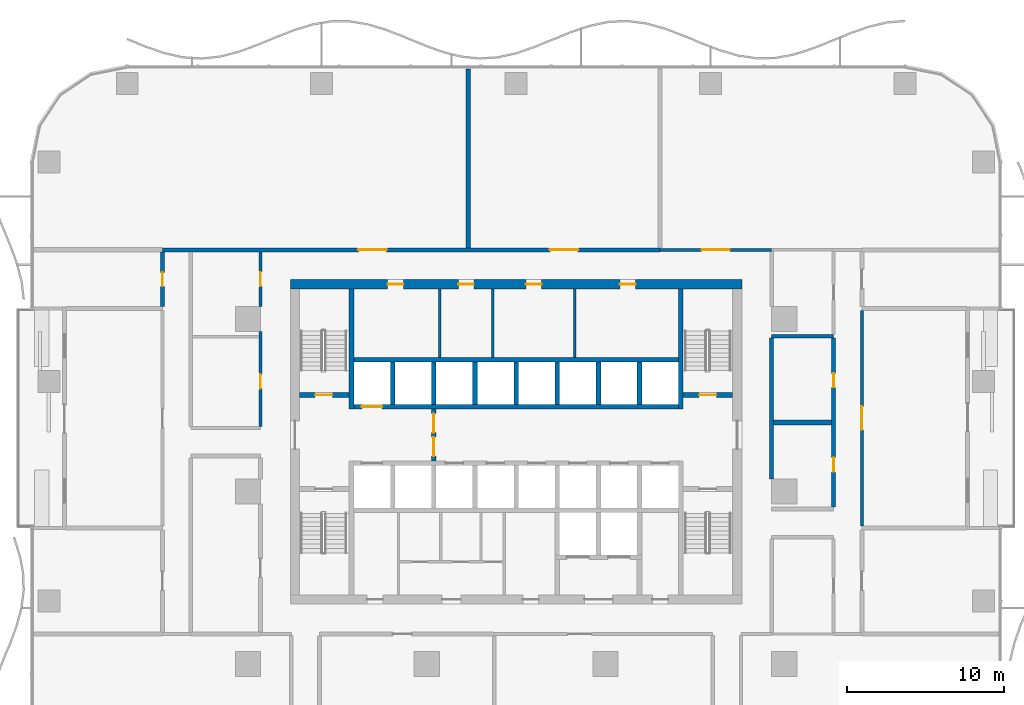
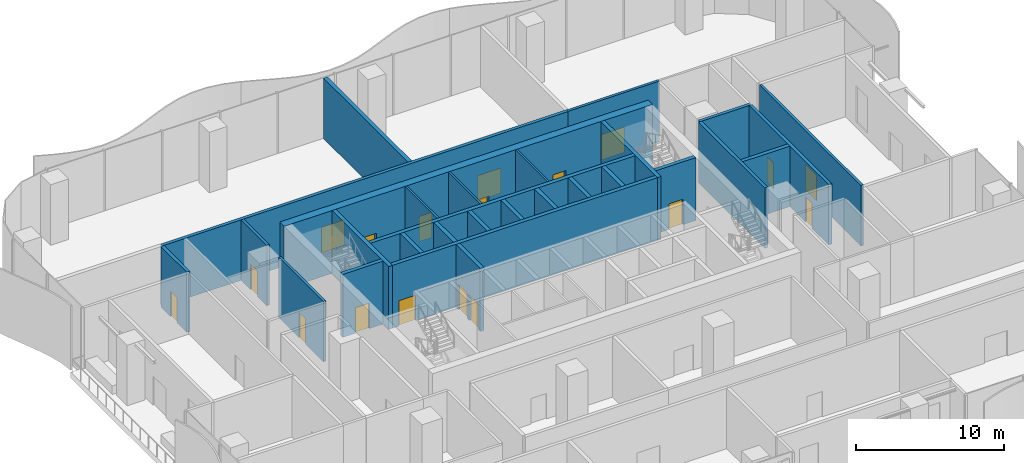
# One storey, part 10 of 20: 29 walls, 18 doors, 18 openings.
"""IFC4 building model written with IfcOpenShell, lengths in metres."""

from ifc_helpers import new_model, si_unit, direction, frame, frame_2d, origin, place, context, subcontext, project, spatial, rectangle, extrude, material, layer, layer_set, type_object, element, fill, save


model = new_model("IFC4")

# Units and contexts
model_context = context("Model", 3, precision=1e-05, world=origin(), true_north=direction((0.0, 1.0)))
body_context = subcontext(model_context, "Body", "Model", "MODEL_VIEW")
ifc_project = project(units=[si_unit("LENGTHUNIT", "METRE"), si_unit("AREAUNIT", "SQUARE_METRE"), si_unit("VOLUMEUNIT", "CUBIC_METRE"), si_unit("PLANEANGLEUNIT", "RADIAN"), si_unit("MASSUNIT", "GRAM", prefix="KILO")], contexts=[model_context])

# Site, building, storey
site_placement = place(None, origin())
site = spatial("IfcSite", under=ifc_project, at=site_placement, CompositionType="ELEMENT")
building_placement = place(site_placement, origin())
building = spatial("IfcBuilding", under=site, at=building_placement, Name="Mopane Tessera Tower", CompositionType="ELEMENT")
storey_placement = place(building_placement, frame((0.0, 0.0, 14.5)))
storey = spatial("IfcBuildingStorey", under=building, at=storey_placement, Name="L02", CompositionType="ELEMENT", Elevation=14.5)

# Walls
ifc_material_1 = material(Name="Fire-rated gypsum board partition")
ifc_layer_1 = layer(ifc_material_1, 0.14990234375)
ifc_layer_set_1 = layer_set([ifc_layer_1], Name="Fire-rated gypsum board partition")
wall_type_1 = type_object("IfcWallType", Name="Core room partition 150 mm", PredefinedType="PARTITIONING", material=ifc_layer_set_1)
for number, where, z_axis, x_axis, name in (
    (1, (-4.875, 8.550048828125, 0.0), (0.0, 0.0, 1.0), (0.0, 1.0, 0.0), "L02 Room partition"),
    (2, (-1.5, 8.550048828125, 0.0), (0.0, 0.0, 1.0), (0.0, 1.0, 0.0), "L02 Room partition"),
    (3, (3.75, 8.550048828125, 0.0), (0.0, 0.0, 1.0), (0.0, 1.0, 0.0), "L02 Room partition"),
):
    element("IfcWall", number, at=place(storey_placement, frame(where, z_axis=z_axis, x_axis=x_axis)), inside=storey, type_object=wall_type_1, Name=name, PredefinedType="PARTITIONING", context=body_context, shape_type="SweptSolid", body=[
        extrude(rectangle(XDim=4.349853515625, YDim=0.14990234375, at=frame_2d((2.1748046875, 0.0))), origin(), (0.0, 0.0, 1.0), 5.199951171875),
    ])

# Wall, openings, doors
ifc_material_2 = material(Name="Concrete C70/85", Category="concrete")
ifc_layer_2 = layer(ifc_material_2, 0.60009765625)
ifc_layer_set_2 = layer_set([ifc_layer_2], Name="Concrete C70/85")
wall_type_2 = type_object("IfcWallType", Name="Core shear wall 600 mm", PredefinedType="SHEAR", material=ifc_layer_set_2)
wall_1_placement = place(storey_placement, frame((-14.39990234375, 13.199951171875, 0.0), z_axis=(0.0, 0.0, 1.0), x_axis=(1.0, 0.0, 0.0)))
wall_1 = element("IfcWall", 4, at=wall_1_placement, inside=storey, type_object=wall_type_2, Name="L02 Core wall north", PredefinedType="SHEAR", context=body_context, shape_type="SweptSolid", body=[
    extrude(rectangle(XDim=28.7998046875, YDim=0.60009765625, at=frame_2d((14.39990234375, 0.0))), origin(), (0.0, 0.0, 1.0), 5.199951171875),
])
opening_1_placement = place(wall_1_placement, frame((6.21240234375, 0.0, 0.0)))
opening_1 = element("IfcOpeningElement", 5, at=opening_1_placement, cuts=wall_1, Name="Opening RD1", PredefinedType="OPENING", context=body_context, shape_type="SweptSolid", body=[
    extrude(rectangle(XDim=1.0, YDim=2.10009765625, at=frame_2d((0.5, 1.050048828125))), frame((0.0, 0.31201171875, 0.0), z_axis=(0.0, -1.0, 0.0), x_axis=(1.0, 0.0, 0.0)), (0.0, 0.0, 1.0), 0.6240234375),
])
opening_2_placement = place(wall_1_placement, frame((10.71240234375, 0.0, 0.0)))
opening_2 = element("IfcOpeningElement", 6, at=opening_2_placement, cuts=wall_1, Name="Opening RD1", PredefinedType="OPENING", context=body_context, shape_type="SweptSolid", body=[
    extrude(rectangle(XDim=1.0, YDim=2.10009765625, at=frame_2d((0.5, 1.050048828125))), frame((0.0, 0.31201171875, 0.0), z_axis=(0.0, -1.0, 0.0), x_axis=(1.0, 0.0, 0.0)), (0.0, 0.0, 1.0), 0.6240234375),
])
opening_3_placement = place(wall_1_placement, frame((15.02490234375, 0.0, 0.0)))
opening_3 = element("IfcOpeningElement", 7, at=opening_3_placement, cuts=wall_1, Name="Opening RD1", PredefinedType="OPENING", context=body_context, shape_type="SweptSolid", body=[
    extrude(rectangle(XDim=1.0, YDim=2.10009765625, at=frame_2d((0.5, 1.050048828125))), frame((0.0, 0.31201171875, 0.0), z_axis=(0.0, -1.0, 0.0), x_axis=(1.0, 0.0, 0.0)), (0.0, 0.0, 1.0), 0.6240234375),
])
opening_4_placement = place(wall_1_placement, frame((21.02490234375, 0.0, 0.0)))
opening_4 = element("IfcOpeningElement", 8, at=opening_4_placement, cuts=wall_1, Name="Opening RD1", PredefinedType="OPENING", context=body_context, shape_type="SweptSolid", body=[
    extrude(rectangle(XDim=1.0, YDim=2.10009765625, at=frame_2d((0.5, 1.050048828125))), frame((0.0, 0.31201171875, 0.0), z_axis=(0.0, -1.0, 0.0), x_axis=(1.0, 0.0, 0.0)), (0.0, 0.0, 1.0), 0.6240234375),
])
ifc_material_3 = material(Name="Timber door", Category="wood")
door_type_1 = type_object("IfcDoorType", Name="Core room door 1000 x 2100", OperationType="SINGLE_SWING_LEFT", PredefinedType="DOOR", material=ifc_material_3)
door_1_placement = place(opening_1_placement, origin())
door_1 = element("IfcDoor", 9, at=door_1_placement, inside=storey, type_object=door_type_1, Name="L02 Room door", OperationType="SINGLE_SWING_LEFT", OverallHeight=2.10009765625, OverallWidth=1.0, PredefinedType="DOOR", context=body_context, shape_type="SweptSolid", body=[
    extrude(rectangle(XDim=1.0, YDim=2.10009765625, at=frame_2d((0.5, 1.050048828125))), frame((0.0, 0.02490234375, 0.0), z_axis=(0.0, -1.0, 0.0), x_axis=(1.0, 0.0, 0.0)), (0.0, 0.0, 1.0), 0.050048828125),
])
fill(opening_1, door_1)
door_2_placement = place(opening_2_placement, origin())
door_2 = element("IfcDoor", 10, at=door_2_placement, inside=storey, type_object=door_type_1, Name="L02 Room door", OperationType="SINGLE_SWING_LEFT", OverallHeight=2.10009765625, OverallWidth=1.0, PredefinedType="DOOR", context=body_context, shape_type="SweptSolid", body=[
    extrude(rectangle(XDim=1.0, YDim=2.10009765625, at=frame_2d((0.5, 1.050048828125))), frame((0.0, 0.02490234375, 0.0), z_axis=(0.0, -1.0, 0.0), x_axis=(1.0, 0.0, 0.0)), (0.0, 0.0, 1.0), 0.050048828125),
])
fill(opening_2, door_2)
door_3_placement = place(opening_3_placement, origin())
door_3 = element("IfcDoor", 11, at=door_3_placement, inside=storey, type_object=door_type_1, Name="L02 Room door", OperationType="SINGLE_SWING_LEFT", OverallHeight=2.10009765625, OverallWidth=1.0, PredefinedType="DOOR", context=body_context, shape_type="SweptSolid", body=[
    extrude(rectangle(XDim=1.0, YDim=2.10009765625, at=frame_2d((0.5, 1.050048828125))), frame((0.0, 0.02490234375, 0.0), z_axis=(0.0, -1.0, 0.0), x_axis=(1.0, 0.0, 0.0)), (0.0, 0.0, 1.0), 0.050048828125),
])
fill(opening_3, door_3)
door_4_placement = place(opening_4_placement, origin())
door_4 = element("IfcDoor", 12, at=door_4_placement, inside=storey, type_object=door_type_1, Name="L02 Room door", OperationType="SINGLE_SWING_LEFT", OverallHeight=2.10009765625, OverallWidth=1.0, PredefinedType="DOOR", context=body_context, shape_type="SweptSolid", body=[
    extrude(rectangle(XDim=1.0, YDim=2.10009765625, at=frame_2d((0.5, 1.050048828125))), frame((0.0, 0.02490234375, 0.0), z_axis=(0.0, -1.0, 0.0), x_axis=(1.0, 0.0, 0.0)), (0.0, 0.0, 1.0), 0.050048828125),
])
fill(opening_4, door_4)

# Walls
ifc_material_4 = material(Name="Concrete C60/75", Category="concrete")
ifc_layer_3 = layer(ifc_material_4, 0.300048828125)
ifc_layer_set_3 = layer_set([ifc_layer_3], Name="Concrete C60/75")
wall_type_3 = type_object("IfcWallType", Name="Core spine wall 300 mm", PredefinedType="SHEAR", material=ifc_layer_set_3)
for number, where, z_axis, x_axis, name in (
    (13, (-10.5, 5.25, 0.0), (0.0, 0.0, 1.0), (0.0, 1.0, 0.0), "L02 Core spine wall"),
    (14, (10.5, 5.25, 0.0), (0.0, 0.0, 1.0), (0.0, 1.0, 0.0), "L02 Core spine wall"),
):
    element("IfcWall", number, at=place(storey_placement, frame(where, z_axis=z_axis, x_axis=x_axis)), inside=storey, type_object=wall_type_3, Name=name, PredefinedType="SHEAR", context=body_context, shape_type="SweptSolid", body=[
        extrude(rectangle(XDim=7.64990234375, YDim=0.300048828125, at=frame_2d((3.824951171875, 0.0))), origin(), (0.0, 0.0, 1.0), 5.199951171875),
    ])

# Wall, opening, door
ifc_material_5 = material(Name="Gypsum board on steel studs, two layers each face, mineral wool infill", Category="steel")
ifc_layer_4 = layer(ifc_material_5, 0.199951171875)
ifc_layer_set_4 = layer_set([ifc_layer_4], Name="Gypsum board on steel studs, two layers each face, mineral wool infill")
wall_type_4 = type_object("IfcWallType", Name="Gypsum board corridor wall 200, rated EI 60", PredefinedType="PARTITIONING", material=ifc_layer_set_4)
wall_2_placement = place(storey_placement, frame((9.1650390625, 15.39990234375, 0.0), z_axis=(0.0, 0.0, 1.0), x_axis=(1.0, 0.0, 0.0)))
wall_2 = element("IfcWall", 15, at=wall_2_placement, inside=storey, type_object=wall_type_4, Name="Partition L02:029", PredefinedType="PARTITIONING", context=body_context, shape_type="SweptSolid", body=[
    extrude(rectangle(XDim=7.135009765625, YDim=0.199951171875, at=frame_2d((3.5673828125, 0.0))), origin(), (0.0, 0.0, 1.0), 5.0),
])
opening_5_placement = place(wall_2_placement, frame((2.66748046875, 0.0, 0.0)))
opening_5 = element("IfcOpeningElement", 16, at=opening_5_placement, cuts=wall_2, Name="Opening L02-21", PredefinedType="OPENING", context=body_context, shape_type="SweptSolid", body=[
    extrude(rectangle(XDim=1.800048828125, YDim=2.10009765625, at=frame_2d((0.89990234375, 1.050048828125))), frame((0.0, 0.112060546875, 0.0), z_axis=(0.0, -1.0, 0.0), x_axis=(1.0, 0.0, 0.0)), (0.0, 0.0, 1.0), 0.223876953125),
])
ifc_material_6 = material(Name="Timber veneered steel-framed fire door", Category="steel")
door_type_2 = type_object("IfcDoorType", Name="Fire door pair FD60 1800 x 2100", OperationType="DOUBLE_DOOR_SINGLE_SWING", PredefinedType="DOOR", material=ifc_material_6)
door_5_placement = place(opening_5_placement, origin())
door_5 = element("IfcDoor", 17, at=door_5_placement, inside=storey, type_object=door_type_2, Name="Door L02-21", ObjectType="D20A", OperationType="DOUBLE_DOOR_SINGLE_SWING", OverallHeight=2.10009765625, OverallWidth=1.800048828125, PredefinedType="DOOR", context=body_context, shape_type="SweptSolid", body=[
    extrude(rectangle(XDim=1.800048828125, YDim=2.10009765625, at=frame_2d((0.89990234375, 1.050048828125))), frame((0.0, 0.02490234375, 0.0), z_axis=(0.0, -1.0, 0.0), x_axis=(1.0, 0.0, 0.0)), (0.0, 0.0, 1.0), 0.050048828125),
])
fill(opening_5, door_5)

wall_3_placement = place(storey_placement, frame((-16.300048828125, 4.14990234375, 0.0), z_axis=(0.0, 0.0, 1.0), x_axis=(0.0, 1.0, 0.0)))
wall_3 = element("IfcWall", 18, at=wall_3_placement, inside=storey, type_object=wall_type_4, Name="Partition L02:039", PredefinedType="PARTITIONING", context=body_context, shape_type="SweptSolid", body=[
    extrude(rectangle(XDim=6.050048828125, YDim=0.199951171875, at=frame_2d((3.02490234375, 0.0))), origin(), (0.0, 0.0, 1.0), 5.0),
])
opening_6_placement = place(wall_3_placement, frame((2.407470703125, 0.0, 0.0)))
opening_6 = element("IfcOpeningElement", 19, at=opening_6_placement, cuts=wall_3, Name="Opening L02-18", PredefinedType="OPENING", context=body_context, shape_type="SweptSolid", body=[
    extrude(rectangle(XDim=0.89990234375, YDim=2.10009765625, at=frame_2d((0.449951171875, 1.050048828125))), frame((0.0, 0.112060546875, 0.0), z_axis=(0.0, -1.0, 0.0), x_axis=(1.0, 0.0, 0.0)), (0.0, 0.0, 1.0), 0.223876953125),
])
ifc_material_7 = material(Name="Timber veneered steel-framed fire door", Category="steel")
door_type_3 = type_object("IfcDoorType", Name="Fire door FD60 900 x 2100", OperationType="SINGLE_SWING_LEFT", PredefinedType="DOOR", material=ifc_material_7)
door_6_placement = place(opening_6_placement, origin())
door_6 = element("IfcDoor", 20, at=door_6_placement, inside=storey, type_object=door_type_3, Name="Door L02-18", ObjectType="D10A", OperationType="SINGLE_SWING_LEFT", OverallHeight=2.10009765625, OverallWidth=0.89990234375, PredefinedType="DOOR", context=body_context, shape_type="SweptSolid", body=[
    extrude(rectangle(XDim=0.89990234375, YDim=2.10009765625, at=frame_2d((0.449951171875, 1.050048828125))), frame((0.0, 0.02490234375, 0.0), z_axis=(0.0, -1.0, 0.0), x_axis=(1.0, 0.0, 0.0)), (0.0, 0.0, 1.0), 0.050048828125),
])
fill(opening_6, door_6)

wall_4_placement = place(storey_placement, frame((-16.300048828125, 11.800048828125, 0.0), z_axis=(0.0, 0.0, 1.0), x_axis=(0.0, 1.0, 0.0)))
wall_4 = element("IfcWall", 21, at=wall_4_placement, inside=storey, type_object=wall_type_4, Name="Partition L02:040", PredefinedType="PARTITIONING", context=body_context, shape_type="SweptSolid", body=[
    extrude(rectangle(XDim=3.474853515625, YDim=0.199951171875, at=frame_2d((1.7373046875, 0.0))), origin(), (0.0, 0.0, 1.0), 5.0),
])
opening_7_placement = place(wall_4_placement, frame((1.28759765625, 0.0, 0.0)))
opening_7 = element("IfcOpeningElement", 22, at=opening_7_placement, cuts=wall_4, Name="Opening L02-16", PredefinedType="OPENING", context=body_context, shape_type="SweptSolid", body=[
    extrude(rectangle(XDim=0.89990234375, YDim=2.10009765625, at=frame_2d((0.449951171875, 1.050048828125))), frame((0.0, 0.112060546875, 0.0), z_axis=(0.0, -1.0, 0.0), x_axis=(1.0, 0.0, 0.0)), (0.0, 0.0, 1.0), 0.223876953125),
])
door_7_placement = place(opening_7_placement, origin())
door_7 = element("IfcDoor", 23, at=door_7_placement, inside=storey, type_object=door_type_3, Name="Door L02-16", ObjectType="D10A", OperationType="SINGLE_SWING_LEFT", OverallHeight=2.10009765625, OverallWidth=0.89990234375, PredefinedType="DOOR", context=body_context, shape_type="SweptSolid", body=[
    extrude(rectangle(XDim=0.89990234375, YDim=2.10009765625, at=frame_2d((0.449951171875, 1.050048828125))), frame((0.0, 0.02490234375, 0.0), z_axis=(0.0, -1.0, 0.0), x_axis=(1.0, 0.0, 0.0)), (0.0, 0.0, 1.0), 0.050048828125),
])
fill(opening_7, door_7)

wall_5_placement = place(storey_placement, frame((22.050048828125, -2.2099609375, 0.0), z_axis=(0.0, 0.0, 1.0), x_axis=(0.0, 1.0, 0.0)))
wall_5 = element("IfcWall", 24, at=wall_5_placement, inside=storey, type_object=wall_type_4, Name="Partition L02:059", PredefinedType="PARTITIONING", context=body_context, shape_type="SweptSolid", body=[
    extrude(rectangle(XDim=13.75, YDim=0.199951171875, at=frame_2d((6.875, 0.0))), origin(), (0.0, 0.0, 1.0), 5.0),
])
opening_8_placement = place(wall_5_placement, frame((6.125, 0.0, 0.0)))
opening_8 = element("IfcOpeningElement", 25, at=opening_8_placement, cuts=wall_5, Name="Opening L02-24", PredefinedType="OPENING", context=body_context, shape_type="SweptSolid", body=[
    extrude(rectangle(XDim=1.5, YDim=2.10009765625, at=frame_2d((0.75, 1.050048828125))), frame((0.0, 0.112060546875, 0.0), z_axis=(0.0, -1.0, 0.0), x_axis=(1.0, 0.0, 0.0)), (0.0, 0.0, 1.0), 0.223876953125),
])
ifc_material_8 = material(Name="Timber veneered steel-framed fire door", Category="steel")
door_type_4 = type_object("IfcDoorType", Name="Fire door pair FD60 1500 x 2100", OperationType="DOUBLE_DOOR_SINGLE_SWING", PredefinedType="DOOR", material=ifc_material_8)
door_8_placement = place(opening_8_placement, origin())
door_8 = element("IfcDoor", 26, at=door_8_placement, inside=storey, type_object=door_type_4, Name="Door L02-24", ObjectType="D17A", OperationType="DOUBLE_DOOR_SINGLE_SWING", OverallHeight=2.10009765625, OverallWidth=1.5, PredefinedType="DOOR", context=body_context, shape_type="SweptSolid", body=[
    extrude(rectangle(XDim=1.5, YDim=2.10009765625, at=frame_2d((0.75, 1.050048828125))), frame((0.0, 0.02490234375, 0.0), z_axis=(0.0, -1.0, 0.0), x_axis=(1.0, 0.0, 0.0)), (0.0, 0.0, 1.0), 0.050048828125),
])
fill(opening_8, door_8)

ifc_material_9 = material(Name="Concrete C50/60", Category="concrete")
ifc_layer_5 = layer(ifc_material_9, 0.300048828125)
ifc_layer_set_5 = layer_set([ifc_layer_5], Name="Concrete C50/60")
wall_type_5 = type_object("IfcWallType", Name="Lift and stair shaft wall 300 mm", PredefinedType="SOLIDWALL", material=ifc_layer_set_5)
wall_6_placement = place(storey_placement, frame((-13.800048828125, 6.14990234375, 0.0), z_axis=(0.0, 0.0, 1.0), x_axis=(1.0, 0.0, 0.0)))
wall_6 = element("IfcWall", 27, at=wall_6_placement, inside=storey, type_object=wall_type_5, Name="L02 Stair enclosure wall", PredefinedType="SOLIDWALL", context=body_context, shape_type="SweptSolid", body=[
    extrude(rectangle(XDim=3.150146484375, YDim=0.300048828125, at=frame_2d((1.5751953125, 0.0))), origin(), (0.0, 0.0, 1.0), 5.199951171875),
])
opening_9_placement = place(wall_6_placement, frame((0.97509765625, 0.0, 0.0)))
opening_9 = element("IfcOpeningElement", 28, at=opening_9_placement, cuts=wall_6, Name="Opening SD1", PredefinedType="OPENING", context=body_context, shape_type="SweptSolid", body=[
    extrude(rectangle(XDim=1.10009765625, YDim=2.10009765625, at=frame_2d((0.550048828125, 1.050048828125))), frame((0.0, 0.162109375, 0.0), z_axis=(0.0, -1.0, 0.0), x_axis=(1.0, 0.0, 0.0)), (0.0, 0.0, 1.0), 0.323974609375),
])
ifc_material_10 = material(Name="Steel fire door", Category="steel")
door_type_5 = type_object("IfcDoorType", Name="Stair fire door 1100 x 2100", OperationType="SINGLE_SWING_LEFT", PredefinedType="DOOR", material=ifc_material_10)
door_9_placement = place(opening_9_placement, origin())
door_9 = element("IfcDoor", 29, at=door_9_placement, inside=storey, type_object=door_type_5, Name="L02 Stair door ST2", OperationType="SINGLE_SWING_LEFT", OverallHeight=2.10009765625, OverallWidth=1.10009765625, PredefinedType="DOOR", context=body_context, shape_type="SweptSolid", body=[
    extrude(rectangle(XDim=1.10009765625, YDim=2.10009765625, at=frame_2d((0.550048828125, 1.050048828125))), frame((0.0, 0.02490234375, 0.0), z_axis=(0.0, -1.0, 0.0), x_axis=(1.0, 0.0, 0.0)), (0.0, 0.0, 1.0), 0.050048828125),
])
fill(opening_9, door_9)

wall_7_placement = place(storey_placement, frame((10.64990234375, 6.14990234375, 0.0), z_axis=(0.0, 0.0, 1.0), x_axis=(1.0, 0.0, 0.0)))
wall_7 = element("IfcWall", 30, at=wall_7_placement, inside=storey, type_object=wall_type_5, Name="L02 Stair enclosure wall", PredefinedType="SOLIDWALL", context=body_context, shape_type="SweptSolid", body=[
    extrude(rectangle(XDim=3.150146484375, YDim=0.300048828125, at=frame_2d((1.5751953125, 0.0))), origin(), (0.0, 0.0, 1.0), 5.199951171875),
])
opening_10_placement = place(wall_7_placement, frame((1.02490234375, 0.0, 0.0)))
opening_10 = element("IfcOpeningElement", 31, at=opening_10_placement, cuts=wall_7, Name="Opening SD1", PredefinedType="OPENING", context=body_context, shape_type="SweptSolid", body=[
    extrude(rectangle(XDim=1.10009765625, YDim=2.10009765625, at=frame_2d((0.550048828125, 1.050048828125))), frame((0.0, 0.162109375, 0.0), z_axis=(0.0, -1.0, 0.0), x_axis=(1.0, 0.0, 0.0)), (0.0, 0.0, 1.0), 0.323974609375),
])
door_10_placement = place(opening_10_placement, origin())
door_10 = element("IfcDoor", 32, at=door_10_placement, inside=storey, type_object=door_type_5, Name="L02 Stair door ST4", OperationType="SINGLE_SWING_RIGHT", OverallHeight=2.10009765625, OverallWidth=1.10009765625, PredefinedType="DOOR", context=body_context, shape_type="SweptSolid", body=[
    extrude(rectangle(XDim=1.10009765625, YDim=2.10009765625, at=frame_2d((0.550048828125, 1.050048828125))), frame((0.0, 0.02490234375, 0.0), z_axis=(0.0, -1.0, 0.0), x_axis=(1.0, 0.0, 0.0)), (0.0, 0.0, 1.0), 0.050048828125),
])
fill(opening_10, door_10)

wall_8_placement = place(storey_placement, frame((-10.35009765625, 5.39990234375, 0.0), z_axis=(0.0, 0.0, 1.0), x_axis=(1.0, 0.0, 0.0)))
wall_8 = element("IfcWall", 33, at=wall_8_placement, inside=storey, type_object=wall_type_5, Name="L02 Lift shaft front wall", PredefinedType="SOLIDWALL", context=body_context, shape_type="SweptSolid", body=[
    extrude(rectangle(XDim=20.7001953125, YDim=0.300048828125, at=frame_2d((10.35009765625, 0.0))), origin(), (0.0, 0.0, 1.0), 5.199951171875),
])
opening_11_placement = place(wall_8_placement, frame((0.512451171875, 0.0, 0.0)))
opening_11 = element("IfcOpeningElement", 34, at=opening_11_placement, cuts=wall_8, Name="Opening LD2", PredefinedType="OPENING", context=body_context, shape_type="SweptSolid", body=[
    extrude(rectangle(XDim=1.300048828125, YDim=2.10009765625, at=frame_2d((0.64990234375, 1.050048828125))), frame((0.0, 0.162109375, 0.0), z_axis=(0.0, -1.0, 0.0), x_axis=(1.0, 0.0, 0.0)), (0.0, 0.0, 1.0), 0.323974609375),
])
ifc_material_11 = material(Name="Stainless steel sliding door", Category="steel")
door_type_6 = type_object("IfcDoorType", Name="Fire-fighting lift landing door 1300 x 2100", OperationType="DOUBLE_DOOR_SLIDING", PredefinedType="DOOR", material=ifc_material_11)
door_11_placement = place(opening_11_placement, origin())
door_11 = element("IfcDoor", 35, at=door_11_placement, inside=storey, type_object=door_type_6, Name="L02 Lift landing door FF2", OperationType="DOUBLE_DOOR_SLIDING", OverallHeight=2.10009765625, OverallWidth=1.300048828125, PredefinedType="DOOR", context=body_context, shape_type="SweptSolid", body=[
    extrude(rectangle(XDim=1.300048828125, YDim=2.10009765625, at=frame_2d((0.64990234375, 1.050048828125))), frame((0.0, 0.02490234375, 0.0), z_axis=(0.0, -1.0, 0.0), x_axis=(1.0, 0.0, 0.0)), (0.0, 0.0, 1.0), 0.050048828125),
])
fill(opening_11, door_11)

# Walls
wall_9_placement = place(storey_placement, frame((-10.35009765625, 8.39990234375, 0.0), z_axis=(0.0, 0.0, 1.0), x_axis=(1.0, 0.0, 0.0)))
element("IfcWall", 36, at=wall_9_placement, inside=storey, type_object=wall_type_5, Name="L02 Lift shaft rear wall", PredefinedType="SOLIDWALL", context=body_context, shape_type="SweptSolid", body=[
    extrude(rectangle(XDim=20.7001953125, YDim=0.300048828125, at=frame_2d((10.35009765625, 0.0))), origin(), (0.0, 0.0, 1.0), 5.199951171875),
])
for number, where, z_axis, x_axis, name in (
    (37, (-7.875, 5.550048828125, 0.0), (0.0, 0.0, 1.0), (0.0, 1.0, 0.0), "L02 Lift shaft wall"),
    (38, (-5.25, 5.550048828125, 0.0), (0.0, 0.0, 1.0), (0.0, 1.0, 0.0), "L02 Lift shaft wall"),
    (39, (-2.625, 5.550048828125, 0.0), (0.0, 0.0, 1.0), (0.0, 1.0, 0.0), "L02 Lift shaft wall"),
    (40, (0.0, 5.550048828125, 0.0), (0.0, 0.0, 1.0), (0.0, 1.0, 0.0), "L02 Lift shaft wall"),
    (41, (2.625, 5.550048828125, 0.0), (0.0, 0.0, 1.0), (0.0, 1.0, 0.0), "L02 Lift shaft wall"),
    (42, (5.25, 5.550048828125, 0.0), (0.0, 0.0, 1.0), (0.0, 1.0, 0.0), "L02 Lift shaft wall"),
    (43, (7.875, 5.550048828125, 0.0), (0.0, 0.0, 1.0), (0.0, 1.0, 0.0), "L02 Lift shaft wall"),
):
    element("IfcWall", number, at=place(storey_placement, frame(where, z_axis=z_axis, x_axis=x_axis)), inside=storey, type_object=wall_type_5, Name=name, PredefinedType="SOLIDWALL", context=body_context, shape_type="SweptSolid", body=[
        extrude(rectangle(XDim=2.699951171875, YDim=0.300048828125, at=frame_2d((1.35009765625, 0.0))), origin(), (0.0, 0.0, 1.0), 5.199951171875),
    ])

# Wall, openings, doors
ifc_material_12 = material(Name="Concrete C50/60", Category="concrete")
ifc_layer_6 = layer(ifc_material_12, 0.300048828125)
ifc_layer_set_6 = layer_set([ifc_layer_6], Name="Concrete C50/60")
wall_type_6 = type_object("IfcWallType", Name="Lobby and refuge room wall 300 mm", PredefinedType="SOLIDWALL", material=ifc_layer_set_6)
wall_10_placement = place(storey_placement, frame((-5.25, 1.949951171875, 0.0), z_axis=(0.0, 0.0, 1.0), x_axis=(0.0, 1.0, 0.0)))
wall_10 = element("IfcWall", 44, at=wall_10_placement, inside=storey, type_object=wall_type_6, Name="L02 Fire-fighting lobby wall", PredefinedType="SOLIDWALL", context=body_context, shape_type="SweptSolid", body=[
    extrude(rectangle(XDim=3.300048828125, YDim=0.300048828125, at=frame_2d((1.64990234375, 0.0))), origin(), (0.0, 0.0, 1.0), 5.199951171875),
])
opening_12_placement = place(wall_10_placement, frame((0.300048828125, 0.0, 0.0)))
opening_12 = element("IfcOpeningElement", 45, at=opening_12_placement, cuts=wall_10, Name="Opening SD3", PredefinedType="OPENING", context=body_context, shape_type="SweptSolid", body=[
    extrude(rectangle(XDim=1.199951171875, YDim=2.10009765625, at=frame_2d((0.60009765625, 1.050048828125))), frame((0.0, 0.162109375, 0.0), z_axis=(0.0, -1.0, 0.0), x_axis=(1.0, 0.0, 0.0)), (0.0, 0.0, 1.0), 0.323974609375),
])
opening_13_placement = place(wall_10_placement, frame((1.800048828125, 0.0, 0.0)))
opening_13 = element("IfcOpeningElement", 46, at=opening_13_placement, cuts=wall_10, Name="Opening SD3", PredefinedType="OPENING", context=body_context, shape_type="SweptSolid", body=[
    extrude(rectangle(XDim=1.199951171875, YDim=2.10009765625, at=frame_2d((0.60009765625, 1.050048828125))), frame((0.0, 0.162109375, 0.0), z_axis=(0.0, -1.0, 0.0), x_axis=(1.0, 0.0, 0.0)), (0.0, 0.0, 1.0), 0.323974609375),
])
ifc_material_13 = material(Name="Steel fire door", Category="steel")
door_type_7 = type_object("IfcDoorType", Name="Lobby fire door 1200 x 2100", OperationType="SINGLE_SWING_LEFT", PredefinedType="DOOR", material=ifc_material_13)
door_12_placement = place(opening_12_placement, origin())
door_12 = element("IfcDoor", 47, at=door_12_placement, inside=storey, type_object=door_type_7, Name="L02 Fire-fighting lobby door", OperationType="SINGLE_SWING_LEFT", OverallHeight=2.10009765625, OverallWidth=1.199951171875, PredefinedType="DOOR", context=body_context, shape_type="SweptSolid", body=[
    extrude(rectangle(XDim=1.199951171875, YDim=2.10009765625, at=frame_2d((0.60009765625, 1.050048828125))), frame((0.0, 0.02490234375, 0.0), z_axis=(0.0, -1.0, 0.0), x_axis=(1.0, 0.0, 0.0)), (0.0, 0.0, 1.0), 0.050048828125),
])
fill(opening_12, door_12)
door_13_placement = place(opening_13_placement, origin())
door_13 = element("IfcDoor", 48, at=door_13_placement, inside=storey, type_object=door_type_7, Name="L02 Fire-fighting lobby door", OperationType="SINGLE_SWING_RIGHT", OverallHeight=2.10009765625, OverallWidth=1.199951171875, PredefinedType="DOOR", context=body_context, shape_type="SweptSolid", body=[
    extrude(rectangle(XDim=1.199951171875, YDim=2.10009765625, at=frame_2d((0.60009765625, 1.050048828125))), frame((0.0, 0.02490234375, 0.0), z_axis=(0.0, -1.0, 0.0), x_axis=(1.0, 0.0, 0.0)), (0.0, 0.0, 1.0), 0.050048828125),
])
fill(opening_13, door_13)

# Walls
ifc_material_14 = material(Name="Plastered concrete blockwork C20/25", Category="masonry")
ifc_layer_7 = layer(ifc_material_14, 0.300048828125)
ifc_layer_set_7 = layer_set([ifc_layer_7], Name="Plastered concrete blockwork C20/25")
wall_type_7 = type_object("IfcWallType", Name="Plastered blockwork separation wall 300, rated EI 120", PredefinedType="PARTITIONING", material=ifc_layer_set_7)
wall_11_placement = place(storey_placement, frame((16.425048828125, 4.385009765625, 0.0), z_axis=(0.0, 0.0, 1.0), x_axis=(1.0, 0.0, 0.0)))
element("IfcWall", 49, at=wall_11_placement, inside=storey, type_object=wall_type_7, Name="Partition L02:023", PredefinedType="PARTITIONING", context=body_context, shape_type="SweptSolid", body=[
    extrude(rectangle(XDim=3.699951171875, YDim=0.300048828125, at=frame_2d((1.85009765625, 0.0))), origin(), (0.0, 0.0, 1.0), 5.0),
])
wall_12_placement = place(storey_placement, frame((-3.054931640625, 15.52490234375, 0.0), z_axis=(0.0, 0.0, 1.0), x_axis=(0.0, 1.0, 0.0)))
element("IfcWall", 50, at=wall_12_placement, inside=storey, type_object=wall_type_7, Name="Partition L02:046", PredefinedType="PARTITIONING", context=body_context, shape_type="SweptSolid", body=[
    extrude(rectangle(XDim=11.425048828125, YDim=0.300048828125, at=frame_2d((5.71240234375, 0.0))), origin(), (0.0, 0.0, 1.0), 5.0),
])
ifc_material_15 = material(Name="Plastered concrete blockwork C20/25", Category="masonry")
ifc_layer_8 = layer(ifc_material_15, 0.25)
ifc_layer_set_8 = layer_set([ifc_layer_8], Name="Plastered concrete blockwork C20/25")
wall_type_8 = type_object("IfcWallType", Name="Plastered blockwork wall 250, rated EI 120", PredefinedType="PARTITIONING", material=ifc_layer_set_8)
wall_13_placement = place(storey_placement, frame((16.300048828125, 9.889892578125, 0.0), z_axis=(0.0, 0.0, 1.0), x_axis=(1.0, 0.0, 0.0)))
element("IfcWall", 51, at=wall_13_placement, inside=storey, type_object=wall_type_8, Name="Partition L02:025", PredefinedType="PARTITIONING", context=body_context, shape_type="SweptSolid", body=[
    extrude(rectangle(XDim=3.949951171875, YDim=0.25, at=frame_2d((1.97509765625, 0.0))), origin(), (0.0, 0.0, 1.0), 5.0),
])

# Wall, openings, doors
wall_14_placement = place(storey_placement, frame((-22.550048828125, 15.39990234375, 0.0), z_axis=(0.0, 0.0, 1.0), x_axis=(1.0, 0.0, 0.0)))
wall_14 = element("IfcWall", 52, at=wall_14_placement, inside=storey, type_object=wall_type_8, Name="Partition L02:031", PredefinedType="PARTITIONING", context=body_context, shape_type="SweptSolid", body=[
    extrude(rectangle(XDim=31.715087890625, YDim=0.25, at=frame_2d((15.857421875, 0.0))), origin(), (0.0, 0.0, 1.0), 5.0),
])
opening_14_placement = place(wall_14_placement, frame((12.485107421875, 0.0, 0.0)))
opening_14 = element("IfcOpeningElement", 53, at=opening_14_placement, cuts=wall_14, Name="Opening L02-08", PredefinedType="OPENING", context=body_context, shape_type="SweptSolid", body=[
    extrude(rectangle(XDim=1.800048828125, YDim=2.10009765625, at=frame_2d((0.89990234375, 1.050048828125))), frame((0.0, 0.136962890625, 0.0), z_axis=(0.0, -1.0, 0.0), x_axis=(1.0, 0.0, 0.0)), (0.0, 0.0, 1.0), 0.27392578125),
])
opening_15_placement = place(wall_14_placement, frame((24.705078125, 0.0, 0.0)))
opening_15 = element("IfcOpeningElement", 54, at=opening_15_placement, cuts=wall_14, Name="Opening L02-12", PredefinedType="OPENING", context=body_context, shape_type="SweptSolid", body=[
    extrude(rectangle(XDim=1.800048828125, YDim=2.10009765625, at=frame_2d((0.89990234375, 1.050048828125))), frame((0.0, 0.136962890625, 0.0), z_axis=(0.0, -1.0, 0.0), x_axis=(1.0, 0.0, 0.0)), (0.0, 0.0, 1.0), 0.27392578125),
])
ifc_material_16 = material(Name="Timber veneered steel-framed fire door", Category="steel")
door_type_8 = type_object("IfcDoorType", Name="Fire door pair FD120 1800 x 2100", OperationType="DOUBLE_DOOR_SINGLE_SWING", PredefinedType="DOOR", material=ifc_material_16)
door_14_placement = place(opening_14_placement, origin())
door_14 = element("IfcDoor", 55, at=door_14_placement, inside=storey, type_object=door_type_8, Name="Door L02-08", ObjectType="D20B", OperationType="DOUBLE_DOOR_SINGLE_SWING", OverallHeight=2.10009765625, OverallWidth=1.800048828125, PredefinedType="DOOR", context=body_context, shape_type="SweptSolid", body=[
    extrude(rectangle(XDim=1.800048828125, YDim=2.10009765625, at=frame_2d((0.89990234375, 1.050048828125))), frame((0.0, 0.02490234375, 0.0), z_axis=(0.0, -1.0, 0.0), x_axis=(1.0, 0.0, 0.0)), (0.0, 0.0, 1.0), 0.050048828125),
])
fill(opening_14, door_14)
door_15_placement = place(opening_15_placement, origin())
door_15 = element("IfcDoor", 56, at=door_15_placement, inside=storey, type_object=door_type_8, Name="Door L02-12", ObjectType="D20B", OperationType="DOUBLE_DOOR_SINGLE_SWING", OverallHeight=2.10009765625, OverallWidth=1.800048828125, PredefinedType="DOOR", context=body_context, shape_type="SweptSolid", body=[
    extrude(rectangle(XDim=1.800048828125, YDim=2.10009765625, at=frame_2d((0.89990234375, 1.050048828125))), frame((0.0, 0.02490234375, 0.0), z_axis=(0.0, -1.0, 0.0), x_axis=(1.0, 0.0, 0.0)), (0.0, 0.0, 1.0), 0.050048828125),
])
fill(opening_15, door_15)

# Wall, opening, door
wall_15_placement = place(storey_placement, frame((-22.550048828125, 11.7900390625, 0.0), z_axis=(0.0, 0.0, 1.0), x_axis=(0.0, 1.0, 0.0)))
wall_15 = element("IfcWall", 57, at=wall_15_placement, inside=storey, type_object=wall_type_8, Name="Partition L02:036", PredefinedType="PARTITIONING", context=body_context, shape_type="SweptSolid", body=[
    extrude(rectangle(XDim=3.4599609375, YDim=0.25, at=frame_2d((1.72998046875, 0.0))), origin(), (0.0, 0.0, 1.0), 5.0),
])
opening_16_placement = place(wall_15_placement, frame((1.280029296875, 0.0, 0.0)))
opening_16 = element("IfcOpeningElement", 58, at=opening_16_placement, cuts=wall_15, Name="Opening L02-01", PredefinedType="OPENING", context=body_context, shape_type="SweptSolid", body=[
    extrude(rectangle(XDim=0.89990234375, YDim=2.10009765625, at=frame_2d((0.449951171875, 1.050048828125))), frame((0.0, 0.136962890625, 0.0), z_axis=(0.0, -1.0, 0.0), x_axis=(1.0, 0.0, 0.0)), (0.0, 0.0, 1.0), 0.27392578125),
])
ifc_material_17 = material(Name="Timber veneered steel-framed fire door", Category="steel")
door_type_9 = type_object("IfcDoorType", Name="Fire door FD120 900 x 2100", OperationType="SINGLE_SWING_LEFT", PredefinedType="DOOR", material=ifc_material_17)
door_16_placement = place(opening_16_placement, origin())
door_16 = element("IfcDoor", 59, at=door_16_placement, inside=storey, type_object=door_type_9, Name="Door L02-01", ObjectType="D10B", OperationType="SINGLE_SWING_LEFT", OverallHeight=2.10009765625, OverallWidth=0.89990234375, PredefinedType="DOOR", context=body_context, shape_type="SweptSolid", body=[
    extrude(rectangle(XDim=0.89990234375, YDim=2.10009765625, at=frame_2d((0.449951171875, 1.050048828125))), frame((0.0, 0.02490234375, 0.0), z_axis=(0.0, -1.0, 0.0), x_axis=(1.0, 0.0, 0.0)), (0.0, 0.0, 1.0), 0.050048828125),
])
fill(opening_16, door_16)

# Wall
wall_16_placement = place(storey_placement, frame((16.300048828125, 0.800048828125, 0.0), z_axis=(0.0, 0.0, 1.0), x_axis=(0.0, 1.0, 0.0)))
element("IfcWall", 60, at=wall_16_placement, inside=storey, type_object=wall_type_8, Name="Partition L02:055", PredefinedType="PARTITIONING", context=body_context, shape_type="SweptSolid", body=[
    extrude(rectangle(XDim=8.96484375, YDim=0.25, at=frame_2d((4.482421875, 0.0))), origin(), (0.0, 0.0, 1.0), 5.0),
])

# Wall, openings, doors
wall_17_placement = place(storey_placement, frame((20.25, -1.0, 0.0), z_axis=(0.0, 0.0, 1.0), x_axis=(0.0, 1.0, 0.0)))
wall_17 = element("IfcWall", 61, at=wall_17_placement, inside=storey, type_object=wall_type_8, Name="Partition L02:058", PredefinedType="PARTITIONING", context=body_context, shape_type="SweptSolid", body=[
    extrude(rectangle(XDim=10.764892578125, YDim=0.25, at=frame_2d((5.38232421875, 0.0))), origin(), (0.0, 0.0, 1.0), 5.0),
])
opening_17_placement = place(wall_17_placement, frame((2.242431640625, 0.0, 0.0)))
opening_17 = element("IfcOpeningElement", 62, at=opening_17_placement, cuts=wall_17, Name="Opening L02-09", PredefinedType="OPENING", context=body_context, shape_type="SweptSolid", body=[
    extrude(rectangle(XDim=0.89990234375, YDim=2.10009765625, at=frame_2d((0.449951171875, 1.050048828125))), frame((0.0, 0.136962890625, 0.0), z_axis=(0.0, -1.0, 0.0), x_axis=(1.0, 0.0, 0.0)), (0.0, 0.0, 1.0), 0.27392578125),
])
opening_18_placement = place(wall_17_placement, frame((7.625, 0.0, 0.0)))
opening_18 = element("IfcOpeningElement", 63, at=opening_18_placement, cuts=wall_17, Name="Opening L02-13", PredefinedType="OPENING", context=body_context, shape_type="SweptSolid", body=[
    extrude(rectangle(XDim=0.89990234375, YDim=2.10009765625, at=frame_2d((0.449951171875, 1.050048828125))), frame((0.0, 0.136962890625, 0.0), z_axis=(0.0, -1.0, 0.0), x_axis=(1.0, 0.0, 0.0)), (0.0, 0.0, 1.0), 0.27392578125),
])
door_17_placement = place(opening_17_placement, origin())
door_17 = element("IfcDoor", 64, at=door_17_placement, inside=storey, type_object=door_type_9, Name="Door L02-09", ObjectType="D10B", OperationType="SINGLE_SWING_LEFT", OverallHeight=2.10009765625, OverallWidth=0.89990234375, PredefinedType="DOOR", context=body_context, shape_type="SweptSolid", body=[
    extrude(rectangle(XDim=0.89990234375, YDim=2.10009765625, at=frame_2d((0.449951171875, 1.050048828125))), frame((0.0, 0.02490234375, 0.0), z_axis=(0.0, -1.0, 0.0), x_axis=(1.0, 0.0, 0.0)), (0.0, 0.0, 1.0), 0.050048828125),
])
fill(opening_17, door_17)
door_18_placement = place(opening_18_placement, origin())
door_18 = element("IfcDoor", 65, at=door_18_placement, inside=storey, type_object=door_type_9, Name="Door L02-13", ObjectType="D10B", OperationType="SINGLE_SWING_LEFT", OverallHeight=2.10009765625, OverallWidth=0.89990234375, PredefinedType="DOOR", context=body_context, shape_type="SweptSolid", body=[
    extrude(rectangle(XDim=0.89990234375, YDim=2.10009765625, at=frame_2d((0.449951171875, 1.050048828125))), frame((0.0, 0.02490234375, 0.0), z_axis=(0.0, -1.0, 0.0), x_axis=(1.0, 0.0, 0.0)), (0.0, 0.0, 1.0), 0.050048828125),
])
fill(opening_18, door_18)

save(model, "model.ifc")
